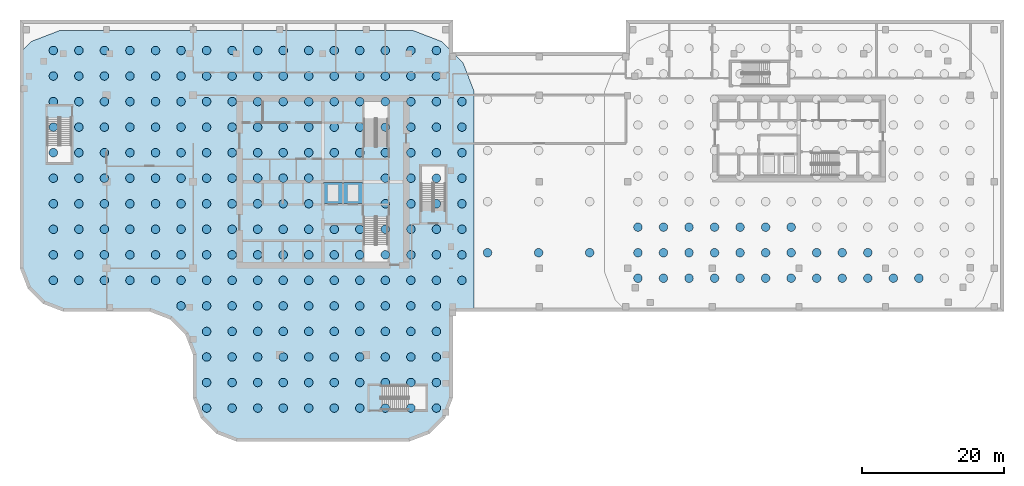
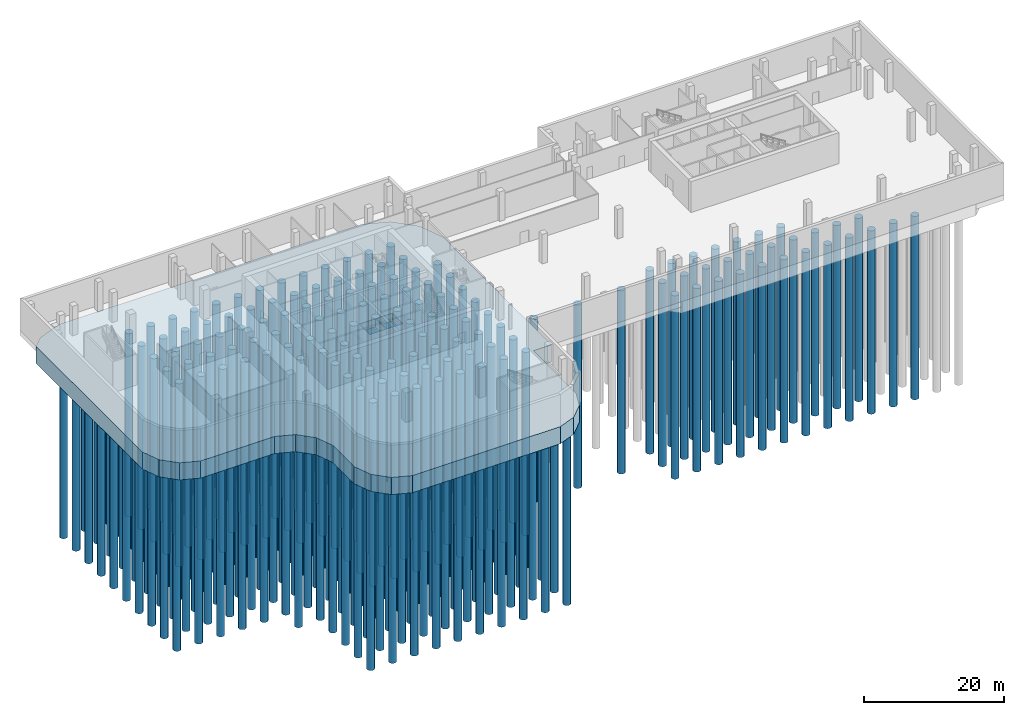
# One storey, part 1 of 13: 247 piles, 3 footings.
"""IFC4 building model written with IfcOpenShell, lengths in metres."""

from ifc_helpers import new_model, si_unit, direction, frame, origin, origin_2d, place, context, subcontext, project, spatial, polyline, circle, outline, extrude, material, layer, layer_set, material_profile, profile_set, type_object, element, save


model = new_model("IFC4")

# Units and contexts
model_context = context("Model", 3, precision=1e-05, world=origin(), true_north=direction((0.0, 1.0)))
body_context = subcontext(model_context, "Body", "Model", "MODEL_VIEW")
ifc_project = project(units=[si_unit("LENGTHUNIT", "METRE"), si_unit("AREAUNIT", "SQUARE_METRE"), si_unit("VOLUMEUNIT", "CUBIC_METRE"), si_unit("PLANEANGLEUNIT", "RADIAN"), si_unit("MASSUNIT", "GRAM", prefix="KILO")], contexts=[model_context])

# Site, building, storey
site_placement = place(None, origin())
site = spatial("IfcSite", under=ifc_project, at=site_placement, CompositionType="ELEMENT")
building_placement = place(site_placement, origin())
building = spatial("IfcBuilding", under=site, at=building_placement, Name="Tessera Gate Towers", CompositionType="ELEMENT")
storey_placement = place(building_placement, frame((0.0, 0.0, -5.39990234375)))
storey = spatial("IfcBuildingStorey", under=building, at=storey_placement, Name="B1", CompositionType="ELEMENT", Elevation=-5.39990234375)

# Piles
ifc_material_1 = material(Name="Concrete C40/50", Category="concrete")
ifc_material_profile = material_profile(ifc_material_1, circle(Radius=0.60009765625, at=origin_2d()), Name="BORED PILE D1200")
ifc_profile_set = profile_set([ifc_material_profile], Name="Concrete C40/50")
pile_type = type_object("IfcPileType", Name="BORED PILE D1200", PredefinedType="BORED", material=ifc_profile_set)
for number, where, z_axis, x_axis, name in (
    (1, (4.699951171875, 22.699951171875, -3.2001953125), (0.0, 0.0, -1.0), (1.0, 0.0, 0.0), "Bored pile T1 1"),
    (2, (4.699951171875, 26.300048828125, -3.2001953125), (0.0, 0.0, -1.0), (1.0, 0.0, 0.0), "Bored pile T1 2"),
    (3, (4.699951171875, 29.89990234375, -3.2001953125), (0.0, 0.0, -1.0), (1.0, 0.0, 0.0), "Bored pile T1 3"),
    (4, (4.699951171875, 33.5, -3.2001953125), (0.0, 0.0, -1.0), (1.0, 0.0, 0.0), "Bored pile T1 4"),
    (5, (4.699951171875, 37.10009765625, -3.2001953125), (0.0, 0.0, -1.0), (1.0, 0.0, 0.0), "Bored pile T1 5"),
    (6, (4.699951171875, 40.699951171875, -3.2001953125), (0.0, 0.0, -1.0), (1.0, 0.0, 0.0), "Bored pile T1 6"),
    (7, (4.699951171875, 44.300048828125, -3.2001953125), (0.0, 0.0, -1.0), (1.0, 0.0, 0.0), "Bored pile T1 7"),
    (8, (4.699951171875, 47.89990234375, -3.2001953125), (0.0, 0.0, -1.0), (1.0, 0.0, 0.0), "Bored pile T1 8"),
    (9, (4.699951171875, 51.5, -3.2001953125), (0.0, 0.0, -1.0), (1.0, 0.0, 0.0), "Bored pile T1 9"),
    (10, (4.699951171875, 55.10009765625, -3.2001953125), (0.0, 0.0, -1.0), (1.0, 0.0, 0.0), "Bored pile T1 10"),
    (11, (8.300048828125, 22.699951171875, -3.2001953125), (0.0, 0.0, -1.0), (1.0, 0.0, 0.0), "Bored pile T1 11"),
    (12, (8.300048828125, 26.300048828125, -3.2001953125), (0.0, 0.0, -1.0), (1.0, 0.0, 0.0), "Bored pile T1 12"),
    (13, (8.300048828125, 29.89990234375, -3.2001953125), (0.0, 0.0, -1.0), (1.0, 0.0, 0.0), "Bored pile T1 13"),
    (14, (8.300048828125, 33.5, -3.2001953125), (0.0, 0.0, -1.0), (1.0, 0.0, 0.0), "Bored pile T1 14"),
    (15, (8.300048828125, 37.10009765625, -3.2001953125), (0.0, 0.0, -1.0), (1.0, 0.0, 0.0), "Bored pile T1 15"),
    (16, (8.300048828125, 40.699951171875, -3.2001953125), (0.0, 0.0, -1.0), (1.0, 0.0, 0.0), "Bored pile T1 16"),
    (17, (8.300048828125, 44.300048828125, -3.2001953125), (0.0, 0.0, -1.0), (1.0, 0.0, 0.0), "Bored pile T1 17"),
    (18, (8.300048828125, 47.89990234375, -3.2001953125), (0.0, 0.0, -1.0), (1.0, 0.0, 0.0), "Bored pile T1 18"),
    (19, (8.300048828125, 51.5, -3.2001953125), (0.0, 0.0, -1.0), (1.0, 0.0, 0.0), "Bored pile T1 19"),
    (20, (8.300048828125, 55.10009765625, -3.2001953125), (0.0, 0.0, -1.0), (1.0, 0.0, 0.0), "Bored pile T1 20"),
    (21, (11.89990234375, 22.699951171875, -3.2001953125), (0.0, 0.0, -1.0), (1.0, 0.0, 0.0), "Bored pile T1 21"),
    (22, (11.89990234375, 26.300048828125, -3.2001953125), (0.0, 0.0, -1.0), (1.0, 0.0, 0.0), "Bored pile T1 22"),
    (23, (11.89990234375, 29.89990234375, -3.2001953125), (0.0, 0.0, -1.0), (1.0, 0.0, 0.0), "Bored pile T1 23"),
    (24, (11.89990234375, 33.5, -3.2001953125), (0.0, 0.0, -1.0), (1.0, 0.0, 0.0), "Bored pile T1 24"),
    (25, (11.89990234375, 37.10009765625, -3.2001953125), (0.0, 0.0, -1.0), (1.0, 0.0, 0.0), "Bored pile T1 25"),
    (26, (11.89990234375, 40.699951171875, -3.2001953125), (0.0, 0.0, -1.0), (1.0, 0.0, 0.0), "Bored pile T1 26"),
    (27, (11.89990234375, 44.300048828125, -3.2001953125), (0.0, 0.0, -1.0), (1.0, 0.0, 0.0), "Bored pile T1 27"),
    (28, (11.89990234375, 47.89990234375, -3.2001953125), (0.0, 0.0, -1.0), (1.0, 0.0, 0.0), "Bored pile T1 28"),
    (29, (11.89990234375, 51.5, -3.2001953125), (0.0, 0.0, -1.0), (1.0, 0.0, 0.0), "Bored pile T1 29"),
    (30, (11.89990234375, 55.10009765625, -3.2001953125), (0.0, 0.0, -1.0), (1.0, 0.0, 0.0), "Bored pile T1 30"),
    (31, (15.5, 22.699951171875, -3.2001953125), (0.0, 0.0, -1.0), (1.0, 0.0, 0.0), "Bored pile T1 31"),
    (32, (15.5, 26.300048828125, -3.2001953125), (0.0, 0.0, -1.0), (1.0, 0.0, 0.0), "Bored pile T1 32"),
    (33, (15.5, 29.89990234375, -3.2001953125), (0.0, 0.0, -1.0), (1.0, 0.0, 0.0), "Bored pile T1 33"),
    (34, (15.5, 33.5, -3.2001953125), (0.0, 0.0, -1.0), (1.0, 0.0, 0.0), "Bored pile T1 34"),
    (35, (15.5, 37.10009765625, -3.2001953125), (0.0, 0.0, -1.0), (1.0, 0.0, 0.0), "Bored pile T1 35"),
    (36, (15.5, 40.699951171875, -3.2001953125), (0.0, 0.0, -1.0), (1.0, 0.0, 0.0), "Bored pile T1 36"),
    (37, (15.5, 44.300048828125, -3.2001953125), (0.0, 0.0, -1.0), (1.0, 0.0, 0.0), "Bored pile T1 37"),
    (38, (15.5, 47.89990234375, -3.2001953125), (0.0, 0.0, -1.0), (1.0, 0.0, 0.0), "Bored pile T1 38"),
    (39, (15.5, 51.5, -3.2001953125), (0.0, 0.0, -1.0), (1.0, 0.0, 0.0), "Bored pile T1 39"),
    (40, (15.5, 55.10009765625, -3.2001953125), (0.0, 0.0, -1.0), (1.0, 0.0, 0.0), "Bored pile T1 40"),
    (41, (19.10009765625, 22.699951171875, -3.2001953125), (0.0, 0.0, -1.0), (1.0, 0.0, 0.0), "Bored pile T1 41"),
    (42, (19.10009765625, 26.300048828125, -3.2001953125), (0.0, 0.0, -1.0), (1.0, 0.0, 0.0), "Bored pile T1 42"),
    (43, (19.10009765625, 29.89990234375, -3.2001953125), (0.0, 0.0, -1.0), (1.0, 0.0, 0.0), "Bored pile T1 43"),
    (44, (19.10009765625, 33.5, -3.2001953125), (0.0, 0.0, -1.0), (1.0, 0.0, 0.0), "Bored pile T1 44"),
    (45, (19.10009765625, 37.10009765625, -3.2001953125), (0.0, 0.0, -1.0), (1.0, 0.0, 0.0), "Bored pile T1 45"),
    (46, (19.10009765625, 40.699951171875, -3.2001953125), (0.0, 0.0, -1.0), (1.0, 0.0, 0.0), "Bored pile T1 46"),
    (47, (19.10009765625, 44.300048828125, -3.2001953125), (0.0, 0.0, -1.0), (1.0, 0.0, 0.0), "Bored pile T1 47"),
    (48, (19.10009765625, 47.89990234375, -3.2001953125), (0.0, 0.0, -1.0), (1.0, 0.0, 0.0), "Bored pile T1 48"),
    (49, (19.10009765625, 51.5, -3.2001953125), (0.0, 0.0, -1.0), (1.0, 0.0, 0.0), "Bored pile T1 49"),
    (50, (19.10009765625, 55.10009765625, -3.2001953125), (0.0, 0.0, -1.0), (1.0, 0.0, 0.0), "Bored pile T1 50"),
    (51, (22.699951171875, 19.10009765625, -3.2001953125), (0.0, 0.0, -1.0), (1.0, 0.0, 0.0), "Bored pile T1 51"),
    (52, (22.699951171875, 22.699951171875, -3.2001953125), (0.0, 0.0, -1.0), (1.0, 0.0, 0.0), "Bored pile T1 52"),
    (53, (22.699951171875, 26.300048828125, -3.2001953125), (0.0, 0.0, -1.0), (1.0, 0.0, 0.0), "Bored pile T1 53"),
    (54, (22.699951171875, 29.89990234375, -3.2001953125), (0.0, 0.0, -1.0), (1.0, 0.0, 0.0), "Bored pile T1 54"),
    (55, (22.699951171875, 33.5, -3.2001953125), (0.0, 0.0, -1.0), (1.0, 0.0, 0.0), "Bored pile T1 55"),
    (56, (22.699951171875, 37.10009765625, -3.2001953125), (0.0, 0.0, -1.0), (1.0, 0.0, 0.0), "Bored pile T1 56"),
    (57, (22.699951171875, 40.699951171875, -3.2001953125), (0.0, 0.0, -1.0), (1.0, 0.0, 0.0), "Bored pile T1 57"),
    (58, (22.699951171875, 44.300048828125, -3.2001953125), (0.0, 0.0, -1.0), (1.0, 0.0, 0.0), "Bored pile T1 58"),
    (59, (22.699951171875, 47.89990234375, -3.2001953125), (0.0, 0.0, -1.0), (1.0, 0.0, 0.0), "Bored pile T1 59"),
    (60, (22.699951171875, 51.5, -3.2001953125), (0.0, 0.0, -1.0), (1.0, 0.0, 0.0), "Bored pile T1 60"),
    (61, (22.699951171875, 55.10009765625, -3.2001953125), (0.0, 0.0, -1.0), (1.0, 0.0, 0.0), "Bored pile T1 61"),
    (62, (26.300048828125, 4.699951171875, -3.2001953125), (0.0, 0.0, -1.0), (1.0, 0.0, 0.0), "Bored pile T1 62"),
    (63, (26.300048828125, 8.300048828125, -3.2001953125), (0.0, 0.0, -1.0), (1.0, 0.0, 0.0), "Bored pile T1 63"),
    (64, (26.300048828125, 11.89990234375, -3.2001953125), (0.0, 0.0, -1.0), (1.0, 0.0, 0.0), "Bored pile T1 64"),
    (65, (26.300048828125, 15.5, -3.2001953125), (0.0, 0.0, -1.0), (1.0, 0.0, 0.0), "Bored pile T1 65"),
    (66, (26.300048828125, 19.10009765625, -3.2001953125), (0.0, 0.0, -1.0), (1.0, 0.0, 0.0), "Bored pile T1 66"),
    (67, (26.300048828125, 22.699951171875, -3.2001953125), (0.0, 0.0, -1.0), (1.0, 0.0, 0.0), "Bored pile T1 67"),
    (68, (26.300048828125, 26.300048828125, -3.2001953125), (0.0, 0.0, -1.0), (1.0, 0.0, 0.0), "Bored pile T1 68"),
    (69, (26.300048828125, 29.89990234375, -3.2001953125), (0.0, 0.0, -1.0), (1.0, 0.0, 0.0), "Bored pile T1 69"),
    (70, (26.300048828125, 33.5, -3.2001953125), (0.0, 0.0, -1.0), (1.0, 0.0, 0.0), "Bored pile T1 70"),
    (71, (26.300048828125, 37.10009765625, -3.2001953125), (0.0, 0.0, -1.0), (1.0, 0.0, 0.0), "Bored pile T1 71"),
    (72, (26.300048828125, 40.699951171875, -3.2001953125), (0.0, 0.0, -1.0), (1.0, 0.0, 0.0), "Bored pile T1 72"),
    (73, (26.300048828125, 44.300048828125, -3.2001953125), (0.0, 0.0, -1.0), (1.0, 0.0, 0.0), "Bored pile T1 73"),
    (74, (26.300048828125, 47.89990234375, -3.2001953125), (0.0, 0.0, -1.0), (1.0, 0.0, 0.0), "Bored pile T1 74"),
    (75, (26.300048828125, 51.5, -3.2001953125), (0.0, 0.0, -1.0), (1.0, 0.0, 0.0), "Bored pile T1 75"),
    (76, (26.300048828125, 55.10009765625, -3.2001953125), (0.0, 0.0, -1.0), (1.0, 0.0, 0.0), "Bored pile T1 76"),
    (77, (29.89990234375, 4.699951171875, -3.2001953125), (0.0, 0.0, -1.0), (1.0, 0.0, 0.0), "Bored pile T1 77"),
    (78, (29.89990234375, 8.300048828125, -3.2001953125), (0.0, 0.0, -1.0), (1.0, 0.0, 0.0), "Bored pile T1 78"),
    (79, (29.89990234375, 11.89990234375, -3.2001953125), (0.0, 0.0, -1.0), (1.0, 0.0, 0.0), "Bored pile T1 79"),
    (80, (29.89990234375, 15.5, -3.2001953125), (0.0, 0.0, -1.0), (1.0, 0.0, 0.0), "Bored pile T1 80"),
    (81, (29.89990234375, 19.10009765625, -3.2001953125), (0.0, 0.0, -1.0), (1.0, 0.0, 0.0), "Bored pile T1 81"),
    (82, (29.89990234375, 22.699951171875, -3.2001953125), (0.0, 0.0, -1.0), (1.0, 0.0, 0.0), "Bored pile T1 82"),
    (83, (29.89990234375, 26.300048828125, -3.2001953125), (0.0, 0.0, -1.0), (1.0, 0.0, 0.0), "Bored pile T1 83"),
    (84, (29.89990234375, 29.89990234375, -3.2001953125), (0.0, 0.0, -1.0), (1.0, 0.0, 0.0), "Bored pile T1 84"),
    (85, (29.89990234375, 33.5, -3.2001953125), (0.0, 0.0, -1.0), (1.0, 0.0, 0.0), "Bored pile T1 85"),
    (86, (29.89990234375, 37.10009765625, -3.2001953125), (0.0, 0.0, -1.0), (1.0, 0.0, 0.0), "Bored pile T1 86"),
    (87, (29.89990234375, 40.699951171875, -3.2001953125), (0.0, 0.0, -1.0), (1.0, 0.0, 0.0), "Bored pile T1 87"),
    (88, (29.89990234375, 44.300048828125, -3.2001953125), (0.0, 0.0, -1.0), (1.0, 0.0, 0.0), "Bored pile T1 88"),
    (89, (29.89990234375, 47.89990234375, -3.2001953125), (0.0, 0.0, -1.0), (1.0, 0.0, 0.0), "Bored pile T1 89"),
    (90, (29.89990234375, 51.5, -3.2001953125), (0.0, 0.0, -1.0), (1.0, 0.0, 0.0), "Bored pile T1 90"),
    (91, (29.89990234375, 55.10009765625, -3.2001953125), (0.0, 0.0, -1.0), (1.0, 0.0, 0.0), "Bored pile T1 91"),
    (92, (33.5, 4.699951171875, -3.2001953125), (0.0, 0.0, -1.0), (1.0, 0.0, 0.0), "Bored pile T1 92"),
    (93, (33.5, 8.300048828125, -3.2001953125), (0.0, 0.0, -1.0), (1.0, 0.0, 0.0), "Bored pile T1 93"),
    (94, (33.5, 11.89990234375, -3.2001953125), (0.0, 0.0, -1.0), (1.0, 0.0, 0.0), "Bored pile T1 94"),
    (95, (33.5, 15.5, -3.2001953125), (0.0, 0.0, -1.0), (1.0, 0.0, 0.0), "Bored pile T1 95"),
    (96, (33.5, 19.10009765625, -3.2001953125), (0.0, 0.0, -1.0), (1.0, 0.0, 0.0), "Bored pile T1 96"),
    (97, (33.5, 22.699951171875, -3.2001953125), (0.0, 0.0, -1.0), (1.0, 0.0, 0.0), "Bored pile T1 97"),
    (98, (33.5, 26.300048828125, -3.2001953125), (0.0, 0.0, -1.0), (1.0, 0.0, 0.0), "Bored pile T1 98"),
    (99, (33.5, 29.89990234375, -3.2001953125), (0.0, 0.0, -1.0), (1.0, 0.0, 0.0), "Bored pile T1 99"),
    (100, (33.5, 33.5, -3.2001953125), (0.0, 0.0, -1.0), (1.0, 0.0, 0.0), "Bored pile T1 100"),
    (101, (33.5, 37.10009765625, -3.2001953125), (0.0, 0.0, -1.0), (1.0, 0.0, 0.0), "Bored pile T1 101"),
    (102, (33.5, 40.699951171875, -3.2001953125), (0.0, 0.0, -1.0), (1.0, 0.0, 0.0), "Bored pile T1 102"),
    (103, (33.5, 44.300048828125, -3.2001953125), (0.0, 0.0, -1.0), (1.0, 0.0, 0.0), "Bored pile T1 103"),
    (104, (33.5, 47.89990234375, -3.2001953125), (0.0, 0.0, -1.0), (1.0, 0.0, 0.0), "Bored pile T1 104"),
    (105, (33.5, 51.5, -3.2001953125), (0.0, 0.0, -1.0), (1.0, 0.0, 0.0), "Bored pile T1 105"),
    (106, (33.5, 55.10009765625, -3.2001953125), (0.0, 0.0, -1.0), (1.0, 0.0, 0.0), "Bored pile T1 106"),
    (107, (37.10009765625, 4.699951171875, -3.2001953125), (0.0, 0.0, -1.0), (1.0, 0.0, 0.0), "Bored pile T1 107"),
    (108, (37.10009765625, 8.300048828125, -3.2001953125), (0.0, 0.0, -1.0), (1.0, 0.0, 0.0), "Bored pile T1 108"),
    (109, (37.10009765625, 11.89990234375, -3.2001953125), (0.0, 0.0, -1.0), (1.0, 0.0, 0.0), "Bored pile T1 109"),
    (110, (37.10009765625, 15.5, -3.2001953125), (0.0, 0.0, -1.0), (1.0, 0.0, 0.0), "Bored pile T1 110"),
    (111, (37.10009765625, 19.10009765625, -3.2001953125), (0.0, 0.0, -1.0), (1.0, 0.0, 0.0), "Bored pile T1 111"),
    (112, (37.10009765625, 22.699951171875, -3.2001953125), (0.0, 0.0, -1.0), (1.0, 0.0, 0.0), "Bored pile T1 112"),
    (113, (37.10009765625, 26.300048828125, -3.2001953125), (0.0, 0.0, -1.0), (1.0, 0.0, 0.0), "Bored pile T1 113"),
    (114, (37.10009765625, 29.89990234375, -3.2001953125), (0.0, 0.0, -1.0), (1.0, 0.0, 0.0), "Bored pile T1 114"),
    (115, (37.10009765625, 33.5, -3.2001953125), (0.0, 0.0, -1.0), (1.0, 0.0, 0.0), "Bored pile T1 115"),
    (116, (37.10009765625, 37.10009765625, -3.2001953125), (0.0, 0.0, -1.0), (1.0, 0.0, 0.0), "Bored pile T1 116"),
    (117, (37.10009765625, 40.699951171875, -3.2001953125), (0.0, 0.0, -1.0), (1.0, 0.0, 0.0), "Bored pile T1 117"),
    (118, (37.10009765625, 44.300048828125, -3.2001953125), (0.0, 0.0, -1.0), (1.0, 0.0, 0.0), "Bored pile T1 118"),
    (119, (37.10009765625, 47.89990234375, -3.2001953125), (0.0, 0.0, -1.0), (1.0, 0.0, 0.0), "Bored pile T1 119"),
    (120, (37.10009765625, 51.5, -3.2001953125), (0.0, 0.0, -1.0), (1.0, 0.0, 0.0), "Bored pile T1 120"),
    (121, (37.10009765625, 55.10009765625, -3.2001953125), (0.0, 0.0, -1.0), (1.0, 0.0, 0.0), "Bored pile T1 121"),
    (122, (40.699951171875, 4.699951171875, -3.2001953125), (0.0, 0.0, -1.0), (1.0, 0.0, 0.0), "Bored pile T1 122"),
    (123, (40.699951171875, 8.300048828125, -3.2001953125), (0.0, 0.0, -1.0), (1.0, 0.0, 0.0), "Bored pile T1 123"),
    (124, (40.699951171875, 11.89990234375, -3.2001953125), (0.0, 0.0, -1.0), (1.0, 0.0, 0.0), "Bored pile T1 124"),
    (125, (40.699951171875, 15.5, -3.2001953125), (0.0, 0.0, -1.0), (1.0, 0.0, 0.0), "Bored pile T1 125"),
    (126, (40.699951171875, 19.10009765625, -3.2001953125), (0.0, 0.0, -1.0), (1.0, 0.0, 0.0), "Bored pile T1 126"),
    (127, (40.699951171875, 22.699951171875, -3.2001953125), (0.0, 0.0, -1.0), (1.0, 0.0, 0.0), "Bored pile T1 127"),
    (128, (40.699951171875, 26.300048828125, -3.2001953125), (0.0, 0.0, -1.0), (1.0, 0.0, 0.0), "Bored pile T1 128"),
    (129, (40.699951171875, 29.89990234375, -3.2001953125), (0.0, 0.0, -1.0), (1.0, 0.0, 0.0), "Bored pile T1 129"),
    (130, (40.699951171875, 33.5, -3.2001953125), (0.0, 0.0, -1.0), (1.0, 0.0, 0.0), "Bored pile T1 130"),
    (131, (40.699951171875, 37.10009765625, -3.2001953125), (0.0, 0.0, -1.0), (1.0, 0.0, 0.0), "Bored pile T1 131"),
    (132, (40.699951171875, 40.699951171875, -3.2001953125), (0.0, 0.0, -1.0), (1.0, 0.0, 0.0), "Bored pile T1 132"),
    (133, (40.699951171875, 44.300048828125, -3.2001953125), (0.0, 0.0, -1.0), (1.0, 0.0, 0.0), "Bored pile T1 133"),
    (134, (40.699951171875, 47.89990234375, -3.2001953125), (0.0, 0.0, -1.0), (1.0, 0.0, 0.0), "Bored pile T1 134"),
    (135, (40.699951171875, 51.5, -3.2001953125), (0.0, 0.0, -1.0), (1.0, 0.0, 0.0), "Bored pile T1 135"),
    (136, (40.699951171875, 55.10009765625, -3.2001953125), (0.0, 0.0, -1.0), (1.0, 0.0, 0.0), "Bored pile T1 136"),
    (137, (44.300048828125, 4.699951171875, -3.2001953125), (0.0, 0.0, -1.0), (1.0, 0.0, 0.0), "Bored pile T1 137"),
    (138, (44.300048828125, 8.300048828125, -3.2001953125), (0.0, 0.0, -1.0), (1.0, 0.0, 0.0), "Bored pile T1 138"),
    (139, (44.300048828125, 11.89990234375, -3.2001953125), (0.0, 0.0, -1.0), (1.0, 0.0, 0.0), "Bored pile T1 139"),
    (140, (44.300048828125, 15.5, -3.2001953125), (0.0, 0.0, -1.0), (1.0, 0.0, 0.0), "Bored pile T1 140"),
    (141, (44.300048828125, 19.10009765625, -3.2001953125), (0.0, 0.0, -1.0), (1.0, 0.0, 0.0), "Bored pile T1 141"),
    (142, (44.300048828125, 22.699951171875, -3.2001953125), (0.0, 0.0, -1.0), (1.0, 0.0, 0.0), "Bored pile T1 142"),
    (143, (44.300048828125, 26.300048828125, -3.2001953125), (0.0, 0.0, -1.0), (1.0, 0.0, 0.0), "Bored pile T1 143"),
    (144, (44.300048828125, 29.89990234375, -3.2001953125), (0.0, 0.0, -1.0), (1.0, 0.0, 0.0), "Bored pile T1 144"),
    (145, (44.300048828125, 40.699951171875, -3.2001953125), (0.0, 0.0, -1.0), (1.0, 0.0, 0.0), "Bored pile T1 145"),
    (146, (44.300048828125, 44.300048828125, -3.2001953125), (0.0, 0.0, -1.0), (1.0, 0.0, 0.0), "Bored pile T1 146"),
    (147, (44.300048828125, 47.89990234375, -3.2001953125), (0.0, 0.0, -1.0), (1.0, 0.0, 0.0), "Bored pile T1 147"),
    (148, (44.300048828125, 51.5, -3.2001953125), (0.0, 0.0, -1.0), (1.0, 0.0, 0.0), "Bored pile T1 148"),
    (149, (44.300048828125, 55.10009765625, -3.2001953125), (0.0, 0.0, -1.0), (1.0, 0.0, 0.0), "Bored pile T1 149"),
    (150, (47.89990234375, 4.699951171875, -3.2001953125), (0.0, 0.0, -1.0), (1.0, 0.0, 0.0), "Bored pile T1 150"),
    (151, (47.89990234375, 8.300048828125, -3.2001953125), (0.0, 0.0, -1.0), (1.0, 0.0, 0.0), "Bored pile T1 151"),
    (152, (47.89990234375, 11.89990234375, -3.2001953125), (0.0, 0.0, -1.0), (1.0, 0.0, 0.0), "Bored pile T1 152"),
    (153, (47.89990234375, 15.5, -3.2001953125), (0.0, 0.0, -1.0), (1.0, 0.0, 0.0), "Bored pile T1 153"),
    (154, (47.89990234375, 19.10009765625, -3.2001953125), (0.0, 0.0, -1.0), (1.0, 0.0, 0.0), "Bored pile T1 154"),
    (155, (47.89990234375, 22.699951171875, -3.2001953125), (0.0, 0.0, -1.0), (1.0, 0.0, 0.0), "Bored pile T1 155"),
    (156, (47.89990234375, 26.300048828125, -3.2001953125), (0.0, 0.0, -1.0), (1.0, 0.0, 0.0), "Bored pile T1 156"),
    (157, (47.89990234375, 29.89990234375, -3.2001953125), (0.0, 0.0, -1.0), (1.0, 0.0, 0.0), "Bored pile T1 157"),
    (158, (47.89990234375, 40.699951171875, -3.2001953125), (0.0, 0.0, -1.0), (1.0, 0.0, 0.0), "Bored pile T1 158"),
    (159, (47.89990234375, 44.300048828125, -3.2001953125), (0.0, 0.0, -1.0), (1.0, 0.0, 0.0), "Bored pile T1 159"),
    (160, (47.89990234375, 47.89990234375, -3.2001953125), (0.0, 0.0, -1.0), (1.0, 0.0, 0.0), "Bored pile T1 160"),
    (161, (47.89990234375, 51.5, -3.2001953125), (0.0, 0.0, -1.0), (1.0, 0.0, 0.0), "Bored pile T1 161"),
    (162, (47.89990234375, 55.10009765625, -3.2001953125), (0.0, 0.0, -1.0), (1.0, 0.0, 0.0), "Bored pile T1 162"),
    (163, (51.5, 4.699951171875, -3.2001953125), (0.0, 0.0, -1.0), (1.0, 0.0, 0.0), "Bored pile T1 163"),
    (164, (51.5, 8.300048828125, -3.2001953125), (0.0, 0.0, -1.0), (1.0, 0.0, 0.0), "Bored pile T1 164"),
    (165, (51.5, 11.89990234375, -3.2001953125), (0.0, 0.0, -1.0), (1.0, 0.0, 0.0), "Bored pile T1 165"),
    (166, (51.5, 15.5, -3.2001953125), (0.0, 0.0, -1.0), (1.0, 0.0, 0.0), "Bored pile T1 166"),
    (167, (51.5, 19.10009765625, -3.2001953125), (0.0, 0.0, -1.0), (1.0, 0.0, 0.0), "Bored pile T1 167"),
    (168, (51.5, 22.699951171875, -3.2001953125), (0.0, 0.0, -1.0), (1.0, 0.0, 0.0), "Bored pile T1 168"),
    (169, (51.5, 26.300048828125, -3.2001953125), (0.0, 0.0, -1.0), (1.0, 0.0, 0.0), "Bored pile T1 169"),
    (170, (51.5, 29.89990234375, -3.2001953125), (0.0, 0.0, -1.0), (1.0, 0.0, 0.0), "Bored pile T1 170"),
    (171, (51.5, 33.5, -3.2001953125), (0.0, 0.0, -1.0), (1.0, 0.0, 0.0), "Bored pile T1 171"),
    (172, (51.5, 37.10009765625, -3.2001953125), (0.0, 0.0, -1.0), (1.0, 0.0, 0.0), "Bored pile T1 172"),
    (173, (51.5, 40.699951171875, -3.2001953125), (0.0, 0.0, -1.0), (1.0, 0.0, 0.0), "Bored pile T1 173"),
    (174, (51.5, 44.300048828125, -3.2001953125), (0.0, 0.0, -1.0), (1.0, 0.0, 0.0), "Bored pile T1 174"),
    (175, (51.5, 47.89990234375, -3.2001953125), (0.0, 0.0, -1.0), (1.0, 0.0, 0.0), "Bored pile T1 175"),
    (176, (51.5, 51.5, -3.2001953125), (0.0, 0.0, -1.0), (1.0, 0.0, 0.0), "Bored pile T1 176"),
    (177, (51.5, 55.10009765625, -3.2001953125), (0.0, 0.0, -1.0), (1.0, 0.0, 0.0), "Bored pile T1 177"),
    (178, (55.10009765625, 4.699951171875, -3.2001953125), (0.0, 0.0, -1.0), (1.0, 0.0, 0.0), "Bored pile T1 178"),
    (179, (55.10009765625, 8.300048828125, -3.2001953125), (0.0, 0.0, -1.0), (1.0, 0.0, 0.0), "Bored pile T1 179"),
    (180, (55.10009765625, 11.89990234375, -3.2001953125), (0.0, 0.0, -1.0), (1.0, 0.0, 0.0), "Bored pile T1 180"),
    (181, (55.10009765625, 15.5, -3.2001953125), (0.0, 0.0, -1.0), (1.0, 0.0, 0.0), "Bored pile T1 181"),
    (182, (55.10009765625, 19.10009765625, -3.2001953125), (0.0, 0.0, -1.0), (1.0, 0.0, 0.0), "Bored pile T1 182"),
    (183, (55.10009765625, 22.699951171875, -3.2001953125), (0.0, 0.0, -1.0), (1.0, 0.0, 0.0), "Bored pile T1 183"),
    (184, (55.10009765625, 26.300048828125, -3.2001953125), (0.0, 0.0, -1.0), (1.0, 0.0, 0.0), "Bored pile T1 184"),
    (185, (55.10009765625, 29.89990234375, -3.2001953125), (0.0, 0.0, -1.0), (1.0, 0.0, 0.0), "Bored pile T1 185"),
    (186, (55.10009765625, 33.5, -3.2001953125), (0.0, 0.0, -1.0), (1.0, 0.0, 0.0), "Bored pile T1 186"),
    (187, (55.10009765625, 37.10009765625, -3.2001953125), (0.0, 0.0, -1.0), (1.0, 0.0, 0.0), "Bored pile T1 187"),
    (188, (55.10009765625, 40.699951171875, -3.2001953125), (0.0, 0.0, -1.0), (1.0, 0.0, 0.0), "Bored pile T1 188"),
    (189, (55.10009765625, 44.300048828125, -3.2001953125), (0.0, 0.0, -1.0), (1.0, 0.0, 0.0), "Bored pile T1 189"),
    (190, (55.10009765625, 47.89990234375, -3.2001953125), (0.0, 0.0, -1.0), (1.0, 0.0, 0.0), "Bored pile T1 190"),
    (191, (55.10009765625, 51.5, -3.2001953125), (0.0, 0.0, -1.0), (1.0, 0.0, 0.0), "Bored pile T1 191"),
    (192, (55.10009765625, 55.10009765625, -3.2001953125), (0.0, 0.0, -1.0), (1.0, 0.0, 0.0), "Bored pile T1 192"),
    (193, (58.699951171875, 4.699951171875, -3.2001953125), (0.0, 0.0, -1.0), (1.0, 0.0, 0.0), "Bored pile T1 193"),
    (194, (58.699951171875, 8.300048828125, -3.2001953125), (0.0, 0.0, -1.0), (1.0, 0.0, 0.0), "Bored pile T1 194"),
    (195, (58.699951171875, 11.89990234375, -3.2001953125), (0.0, 0.0, -1.0), (1.0, 0.0, 0.0), "Bored pile T1 195"),
    (196, (58.699951171875, 15.5, -3.2001953125), (0.0, 0.0, -1.0), (1.0, 0.0, 0.0), "Bored pile T1 196"),
    (197, (58.699951171875, 19.10009765625, -3.2001953125), (0.0, 0.0, -1.0), (1.0, 0.0, 0.0), "Bored pile T1 197"),
    (198, (58.699951171875, 22.699951171875, -3.2001953125), (0.0, 0.0, -1.0), (1.0, 0.0, 0.0), "Bored pile T1 198"),
    (199, (58.699951171875, 26.300048828125, -3.2001953125), (0.0, 0.0, -1.0), (1.0, 0.0, 0.0), "Bored pile T1 199"),
    (200, (58.699951171875, 29.89990234375, -3.2001953125), (0.0, 0.0, -1.0), (1.0, 0.0, 0.0), "Bored pile T1 200"),
    (201, (58.699951171875, 33.5, -3.2001953125), (0.0, 0.0, -1.0), (1.0, 0.0, 0.0), "Bored pile T1 201"),
    (202, (58.699951171875, 37.10009765625, -3.2001953125), (0.0, 0.0, -1.0), (1.0, 0.0, 0.0), "Bored pile T1 202"),
    (203, (58.699951171875, 40.699951171875, -3.2001953125), (0.0, 0.0, -1.0), (1.0, 0.0, 0.0), "Bored pile T1 203"),
    (204, (58.699951171875, 44.300048828125, -3.2001953125), (0.0, 0.0, -1.0), (1.0, 0.0, 0.0), "Bored pile T1 204"),
    (205, (58.699951171875, 47.89990234375, -3.2001953125), (0.0, 0.0, -1.0), (1.0, 0.0, 0.0), "Bored pile T1 205"),
    (206, (58.699951171875, 51.5, -3.2001953125), (0.0, 0.0, -1.0), (1.0, 0.0, 0.0), "Bored pile T1 206"),
    (207, (58.699951171875, 55.10009765625, -3.2001953125), (0.0, 0.0, -1.0), (1.0, 0.0, 0.0), "Bored pile T1 207"),
    (208, (62.300048828125, 22.699951171875, -3.2001953125), (0.0, 0.0, -1.0), (1.0, 0.0, 0.0), "Bored pile T1 208"),
    (209, (62.300048828125, 26.300048828125, -3.2001953125), (0.0, 0.0, -1.0), (1.0, 0.0, 0.0), "Bored pile T1 209"),
    (210, (62.300048828125, 29.89990234375, -3.2001953125), (0.0, 0.0, -1.0), (1.0, 0.0, 0.0), "Bored pile T1 210"),
    (211, (62.300048828125, 33.5, -3.2001953125), (0.0, 0.0, -1.0), (1.0, 0.0, 0.0), "Bored pile T1 211"),
    (212, (62.300048828125, 37.10009765625, -3.2001953125), (0.0, 0.0, -1.0), (1.0, 0.0, 0.0), "Bored pile T1 212"),
    (213, (62.300048828125, 40.699951171875, -3.2001953125), (0.0, 0.0, -1.0), (1.0, 0.0, 0.0), "Bored pile T1 213"),
    (214, (62.300048828125, 44.300048828125, -3.2001953125), (0.0, 0.0, -1.0), (1.0, 0.0, 0.0), "Bored pile T1 214"),
    (215, (62.300048828125, 47.89990234375, -3.2001953125), (0.0, 0.0, -1.0), (1.0, 0.0, 0.0), "Bored pile T1 215"),
    (216, (87.10009765625, 23.0, -2.2001953125), (0.0, 0.0, -1.0), (1.0, 0.0, 0.0), "Bored pile T2 216"),
    (217, (87.10009765625, 26.60009765625, -2.2001953125), (0.0, 0.0, -1.0), (1.0, 0.0, 0.0), "Bored pile T2 217"),
    (218, (87.10009765625, 30.199951171875, -2.2001953125), (0.0, 0.0, -1.0), (1.0, 0.0, 0.0), "Bored pile T2 218"),
    (219, (90.699951171875, 23.0, -2.2001953125), (0.0, 0.0, -1.0), (1.0, 0.0, 0.0), "Bored pile T2 225"),
    (220, (90.699951171875, 26.60009765625, -2.2001953125), (0.0, 0.0, -1.0), (1.0, 0.0, 0.0), "Bored pile T2 226"),
    (221, (90.699951171875, 30.199951171875, -2.2001953125), (0.0, 0.0, -1.0), (1.0, 0.0, 0.0), "Bored pile T2 227"),
    (222, (94.300048828125, 23.0, -2.2001953125), (0.0, 0.0, -1.0), (1.0, 0.0, 0.0), "Bored pile T2 235"),
    (223, (94.300048828125, 26.60009765625, -2.2001953125), (0.0, 0.0, -1.0), (1.0, 0.0, 0.0), "Bored pile T2 236"),
    (224, (94.300048828125, 30.199951171875, -2.2001953125), (0.0, 0.0, -1.0), (1.0, 0.0, 0.0), "Bored pile T2 237"),
    (225, (97.89990234375, 23.0, -2.2001953125), (0.0, 0.0, -1.0), (1.0, 0.0, 0.0), "Bored pile T2 245"),
    (226, (97.89990234375, 26.60009765625, -2.2001953125), (0.0, 0.0, -1.0), (1.0, 0.0, 0.0), "Bored pile T2 246"),
    (227, (97.89990234375, 30.199951171875, -2.2001953125), (0.0, 0.0, -1.0), (1.0, 0.0, 0.0), "Bored pile T2 247"),
    (228, (101.5, 23.0, -2.2001953125), (0.0, 0.0, -1.0), (1.0, 0.0, 0.0), "Bored pile T2 255"),
    (229, (101.5, 26.60009765625, -2.2001953125), (0.0, 0.0, -1.0), (1.0, 0.0, 0.0), "Bored pile T2 256"),
    (230, (101.5, 30.199951171875, -2.2001953125), (0.0, 0.0, -1.0), (1.0, 0.0, 0.0), "Bored pile T2 257"),
    (231, (105.10009765625, 23.0, -2.2001953125), (0.0, 0.0, -1.0), (1.0, 0.0, 0.0), "Bored pile T2 265"),
    (232, (105.10009765625, 26.60009765625, -2.2001953125), (0.0, 0.0, -1.0), (1.0, 0.0, 0.0), "Bored pile T2 266"),
    (233, (105.10009765625, 30.199951171875, -2.2001953125), (0.0, 0.0, -1.0), (1.0, 0.0, 0.0), "Bored pile T2 267"),
    (234, (108.699951171875, 23.0, -2.2001953125), (0.0, 0.0, -1.0), (1.0, 0.0, 0.0), "Bored pile T2 273"),
    (235, (108.699951171875, 26.60009765625, -2.2001953125), (0.0, 0.0, -1.0), (1.0, 0.0, 0.0), "Bored pile T2 274"),
    (236, (108.699951171875, 30.199951171875, -2.2001953125), (0.0, 0.0, -1.0), (1.0, 0.0, 0.0), "Bored pile T2 275"),
    (237, (112.300048828125, 23.0, -2.2001953125), (0.0, 0.0, -1.0), (1.0, 0.0, 0.0), "Bored pile T2 281"),
    (238, (112.300048828125, 26.60009765625, -2.2001953125), (0.0, 0.0, -1.0), (1.0, 0.0, 0.0), "Bored pile T2 282"),
    (239, (115.89990234375, 23.0, -2.2001953125), (0.0, 0.0, -1.0), (1.0, 0.0, 0.0), "Bored pile T2 291"),
    (240, (115.89990234375, 26.60009765625, -2.2001953125), (0.0, 0.0, -1.0), (1.0, 0.0, 0.0), "Bored pile T2 292"),
    (241, (119.5, 23.0, -2.2001953125), (0.0, 0.0, -1.0), (1.0, 0.0, 0.0), "Bored pile T2 301"),
    (242, (119.5, 26.60009765625, -2.2001953125), (0.0, 0.0, -1.0), (1.0, 0.0, 0.0), "Bored pile T2 302"),
    (243, (123.10009765625, 23.0, -2.2001953125), (0.0, 0.0, -1.0), (1.0, 0.0, 0.0), "Bored pile T2 311"),
    (244, (126.699951171875, 23.0, -2.2001953125), (0.0, 0.0, -1.0), (1.0, 0.0, 0.0), "Bored pile T2 321"),
    (245, (65.89990234375, 26.60009765625, -1.10009765625), (0.0, 0.0, -1.0), (1.0, 0.0, 0.0), "Bored pile BASE 350"),
    (246, (73.10009765625, 26.60009765625, -1.10009765625), (0.0, 0.0, -1.0), (1.0, 0.0, 0.0), "Bored pile BASE 354"),
    (247, (80.300048828125, 26.60009765625, -1.10009765625), (0.0, 0.0, -1.0), (1.0, 0.0, 0.0), "Bored pile BASE 358"),
):
    element("IfcPile", number, at=place(storey_placement, frame(where, z_axis=z_axis, x_axis=x_axis)), inside=storey, type_object=pile_type, Name=name, PredefinedType="BORED", context=body_context, shape_type="SweptSolid", body=[
        extrude(circle(Radius=0.60009765625, at=origin_2d()), origin(), (0.0, 0.0, 1.0), 32.0),
    ])

# Footings
ifc_material_2 = material(Name="Concrete C50/60", Category="concrete")
ifc_layer_1 = layer(ifc_material_2, 1.60009765625)
ifc_layer_set_1 = layer_set([ifc_layer_1], Name="PIT FOUNDATION 1600")
footing_type_1 = type_object("IfcFootingType", Name="PIT FOUNDATION 1600", PredefinedType="PAD_FOOTING", material=ifc_layer_set_1)
footing_1_placement = place(storey_placement, frame((0.0, 0.0, -3.2001953125)))
element("IfcFooting", 248, at=footing_1_placement, inside=storey, type_object=footing_type_1, Name="Pit foundation FF1", PredefinedType="PAD_FOOTING", context=body_context, shape_type="SweptSolid", body=[
    extrude(outline(polyline([(42.800048828125, 33.5), (45.425048828125, 33.5), (45.425048828125, 36.5), (42.800048828125, 36.5), (42.800048828125, 33.5)])), origin(), (0.0, 0.0, 1.0), 1.60009765625),
])
footing_2_placement = place(storey_placement, frame((0.0, 0.0, -3.2001953125)))
element("IfcFooting", 249, at=footing_2_placement, inside=storey, type_object=footing_type_1, Name="Pit foundation FF2", PredefinedType="PAD_FOOTING", context=body_context, shape_type="SweptSolid", body=[
    extrude(outline(polyline([(45.625, 33.5), (48.25, 33.5), (48.25, 36.5), (45.625, 36.5), (45.625, 33.5)])), origin(), (0.0, 0.0, 1.0), 1.60009765625),
])
ifc_material_3 = material(Name="Concrete C50/60", Category="concrete")
ifc_layer_2 = layer(ifc_material_3, 3.0)
ifc_layer_set_2 = layer_set([ifc_layer_2], Name="RAFT FOUNDATION 3000")
footing_type_2 = type_object("IfcFootingType", Name="RAFT FOUNDATION 3000", PredefinedType="PAD_FOOTING", material=ifc_layer_set_2)
footing_3_placement = place(storey_placement, frame((0.0, 0.0, -3.2001953125)))
element("IfcFooting", 250, at=footing_3_placement, inside=storey, type_object=footing_type_2, Name="Raft Tessera Tower", PredefinedType="PAD_FOOTING", context=body_context, shape_type="SweptSolid", body=[
    extrude(outline(polyline([(0.0, 24.39990234375), (1.09765625, 21.554443359375), (3.25439453125, 19.397705078125), (6.10009765625, 18.300048828125), (18.300048828125, 18.300048828125), (21.1455078125, 17.202392578125), (23.30224609375, 15.045654296875), (24.39990234375, 12.199951171875), (24.39990234375, 6.10009765625), (25.497802734375, 3.25439453125), (27.654296875, 1.09765625), (30.5, 0.0), (54.89990234375, 0.0), (57.74560546875, 1.09765625), (59.90234375, 3.25439453125), (61.0, 6.10009765625), (61.0, 18.300048828125), (64.0, 18.300048828125), (64.0, 49.358642578125), (62.47265625, 53.31787109375), (59.41796875, 56.372802734375), (55.45849609375, 57.89990234375), (5.54150390625, 57.89990234375), (1.58203125, 56.372802734375), (0.0, 54.79052734375), (0.0, 48.800048828125), (0.0, 24.39990234375)]), holes=[polyline([(42.800048828125, 33.5), (42.800048828125, 36.5), (45.425048828125, 36.5), (45.425048828125, 33.5), (42.800048828125, 33.5)]), polyline([(45.625, 33.5), (45.625, 36.5), (48.25, 36.5), (48.25, 33.5), (45.625, 33.5)])]), origin(), (0.0, 0.0, 1.0), 3.0),
])

save(model, "model.ifc")
